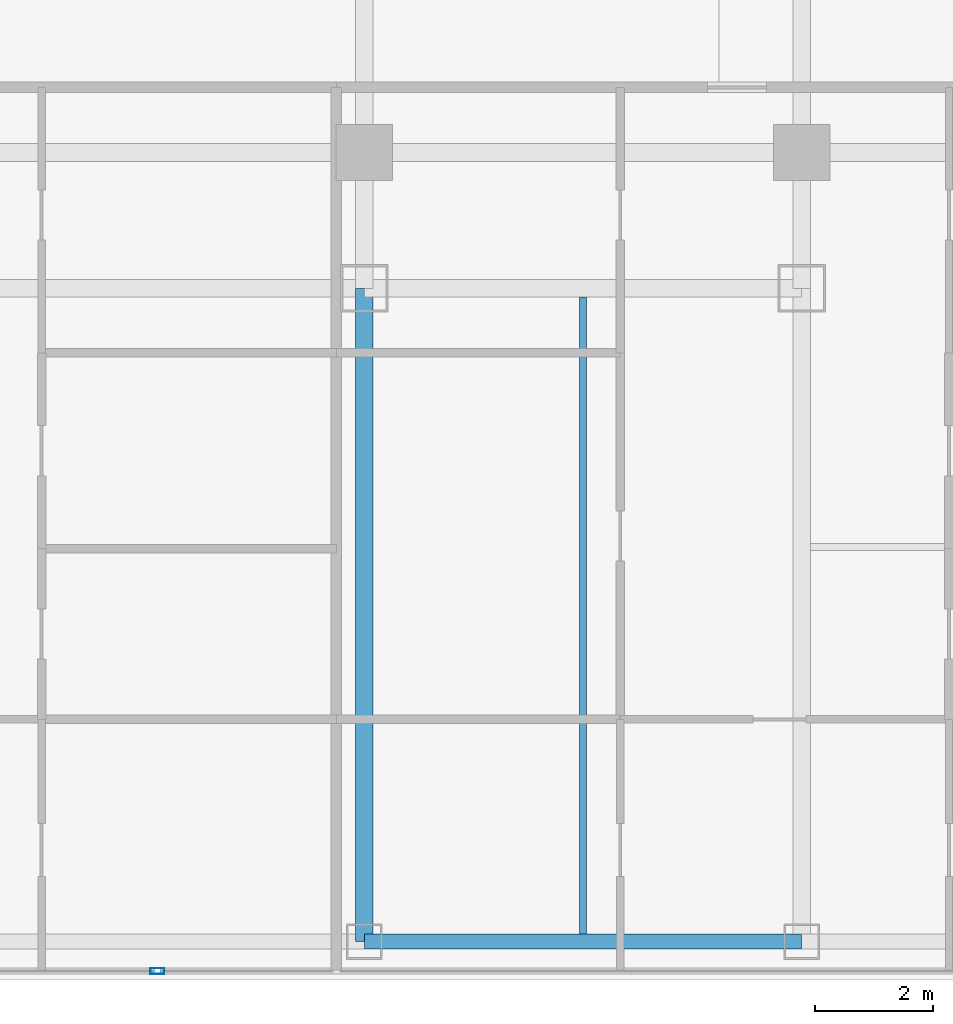
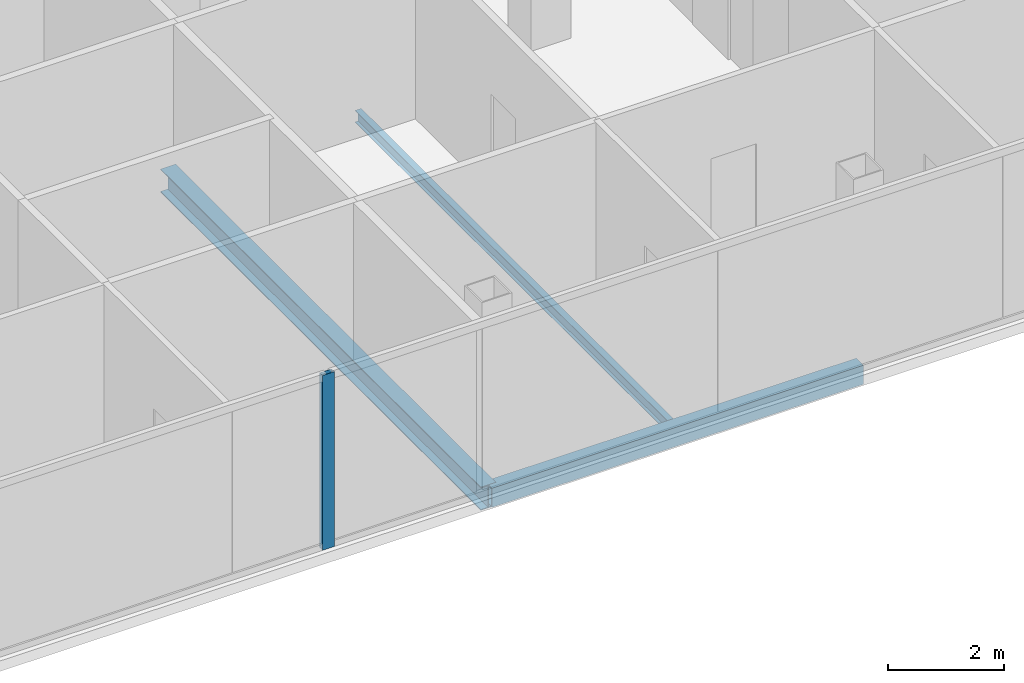
# One storey, part 4 of 27: 3 beams, 1 member, 1 element without a shape of its own.
"""IFC4 building model written with IfcOpenShell, lengths in metres."""

from ifc_helpers import new_model, si_unit, direction, frame, origin, origin_2d, place, context, subcontext, project, spatial, hollow_rectangle, i_section, extrude, material, layer, layer_set, material_profile, profile_set, type_object, element, aggregate, save


model = new_model("IFC4")

# Units and contexts
model_context = context("Model", 3, precision=1e-05, world=origin(), true_north=direction((0.0, 1.0)))
body_context = subcontext(model_context, "Body", "Model", "MODEL_VIEW")
ifc_project = project(units=[si_unit("LENGTHUNIT", "METRE"), si_unit("AREAUNIT", "SQUARE_METRE"), si_unit("VOLUMEUNIT", "CUBIC_METRE"), si_unit("PLANEANGLEUNIT", "RADIAN"), si_unit("MASSUNIT", "GRAM", prefix="KILO")], contexts=[model_context])

# Site, building, storey
site_placement = place(None, origin())
site = spatial("IfcSite", under=ifc_project, at=site_placement, CompositionType="ELEMENT")
building_placement = place(site_placement, origin())
building = spatial("IfcBuilding", under=site, at=building_placement, Name="Khorvyn Point Tower", CompositionType="ELEMENT")
storey_placement = place(building_placement, frame((0.0, 0.0, 246.89990234375)))
storey = spatial("IfcBuildingStorey", under=building, at=storey_placement, Name="L60", CompositionType="ELEMENT", Elevation=246.89990234375)

# Curtain wall, member
ifc_material_1 = material(Name="Anodised aluminium 6063-T6 and laminated Low-E glass", Category="aluminium")
ifc_layer = layer(ifc_material_1, 0.18994140625)
ifc_layer_set = layer_set([ifc_layer], Name="Stick-Built Acoustic Curtain Wall CW-SYS-03")
curtain_wall_type = type_object("IfcCurtainWallType", Name="Stick-Built Acoustic Curtain Wall CW-SYS-03", PredefinedType="NOTDEFINED", material=ifc_layer_set)
curtain_wall_placement = place(storey_placement, origin())
curtain_wall = element("IfcCurtainWall", 1, at=curtain_wall_placement, inside=storey, type_object=curtain_wall_type, Name="Curtain Wall", PredefinedType="NOTDEFINED")
ifc_material_2 = material(Name="Anodised aluminium 6063-T6", Category="aluminium")
ifc_material_profile_1 = material_profile(ifc_material_2, hollow_rectangle(XDim=0.10009765625, YDim=0.239990234375, WallThickness=0.0048828125, at=origin_2d()))
ifc_profile_set_1 = profile_set([ifc_material_profile_1], Name="Anodised aluminium 6063-T6 ALU-MUL-100x240")
member_type = type_object("IfcMemberType", Name="Anodised Aluminium 6063-T6 Mullion ALU-MUL-100x240", PredefinedType="MULLION", material=ifc_profile_set_1)
member_placement = place(storey_placement, frame((3.89990234375, -28.64990234375, 0.0), z_axis=(0.0, 0.0, 1.0), x_axis=(0.0, -1.0, 0.0)))
member = element("IfcMember", 2, at=member_placement, type_object=member_type, Name="Transom", PredefinedType="MULLION", context=body_context, shape_type="SweptSolid", body=[
    extrude(hollow_rectangle(XDim=0.10009765625, YDim=0.239990234375, WallThickness=0.0048828125, at=origin_2d()), origin(), (0.0, 0.0, 1.0), 3.68017578125),
])
aggregate(curtain_wall, [member])

# Beams
ifc_material_3 = material(Name="Steel S355", Category="steel")
ifc_material_profile_2 = material_profile(ifc_material_3, i_section(OverallWidth=0.125, OverallDepth=0.25, WebThickness=0.006103515625, FlangeThickness=0.009033203125, at=origin_2d()))
ifc_profile_set_2 = profile_set([ifc_material_profile_2], Name="Steel S355 H250x125x6x9")
beam_type_1 = type_object("IfcBeamType", Name="Steel S355 Joist H250x125x6x9", PredefinedType="JOIST", material=ifc_profile_set_2)
beam_1_placement = place(storey_placement, frame((11.10009765625, -28.02490234375, -0.344970703125), z_axis=(0.0, 1.0, 0.0), x_axis=(-1.0, 0.0, 0.0)))
element("IfcBeam", 3, at=beam_1_placement, inside=storey, type_object=beam_type_1, Name="Beam", PredefinedType="JOIST", context=body_context, shape_type="SweptSolid", body=[
    extrude(i_section(OverallWidth=0.125, OverallDepth=0.25, WebThickness=0.006103515625, FlangeThickness=0.009033203125, at=origin_2d()), origin(), (0.0, 0.0, 1.0), 10.77490234375),
])
ifc_material_profile_3 = material_profile(ifc_material_3, i_section(OverallWidth=0.300048828125, OverallDepth=0.488037109375, WebThickness=0.010986328125, FlangeThickness=0.01806640625, at=origin_2d()))
ifc_profile_set_3 = profile_set([ifc_material_profile_3], Name="Steel S355 H488x300x11x18")
beam_type_2 = type_object("IfcBeamType", Name="Steel S355 Spandrel H488x300x11x18", PredefinedType="SPANDREL", material=ifc_profile_set_3)
beam_2_placement = place(storey_placement, frame((7.39990234375, -28.14990234375, -0.4638671875), z_axis=(0.0, 1.0, 0.0), x_axis=(-1.0, 0.0, 0.0)))
element("IfcBeam", 4, at=beam_2_placement, inside=storey, type_object=beam_type_2, Name="Beam", PredefinedType="SPANDREL", context=body_context, shape_type="SweptSolid", body=[
    extrude(i_section(OverallWidth=0.300048828125, OverallDepth=0.488037109375, WebThickness=0.010986328125, FlangeThickness=0.01806640625, at=origin_2d()), origin(), (0.0, 0.0, 1.0), 11.0498046875),
])
ifc_material_profile_4 = material_profile(ifc_material_3, hollow_rectangle(XDim=0.25, YDim=0.39990234375, WallThickness=0.01611328125, at=origin_2d()))
ifc_profile_set_4 = profile_set([ifc_material_profile_4], Name="Steel S355 RHS400x250x16")
beam_type_3 = type_object("IfcBeamType", Name="Steel S355 Spandrel RHS400x250x16", PredefinedType="SPANDREL", material=ifc_profile_set_4)
beam_3_placement = place(storey_placement, frame((7.39990234375, -28.14990234375, -0.419921875), z_axis=(1.0, 0.0, 0.0), x_axis=(0.0, 1.0, 0.0)))
element("IfcBeam", 5, at=beam_3_placement, inside=storey, type_object=beam_type_3, Name="Beam", PredefinedType="SPANDREL", context=body_context, shape_type="SweptSolid", body=[
    extrude(hollow_rectangle(XDim=0.25, YDim=0.39990234375, WallThickness=0.01611328125, at=origin_2d()), origin(), (0.0, 0.0, 1.0), 7.400146484375),
])

save(model, "model.ifc")
